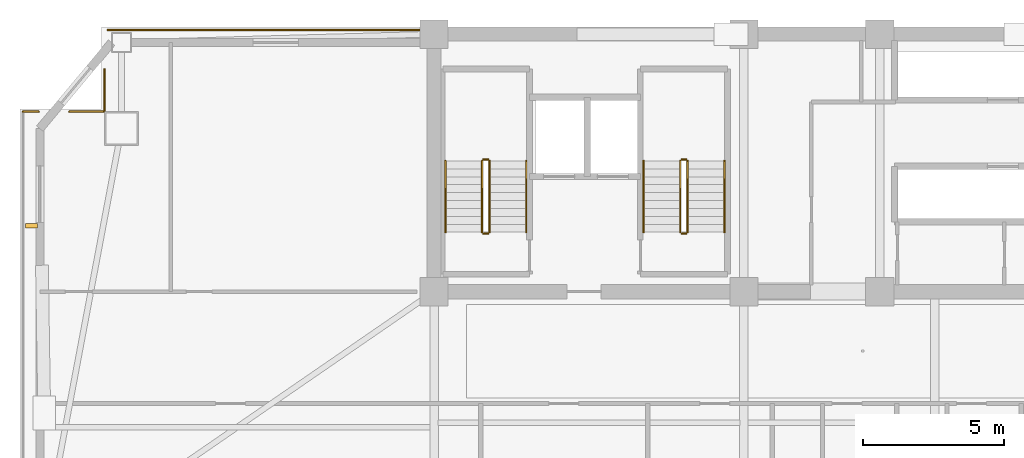
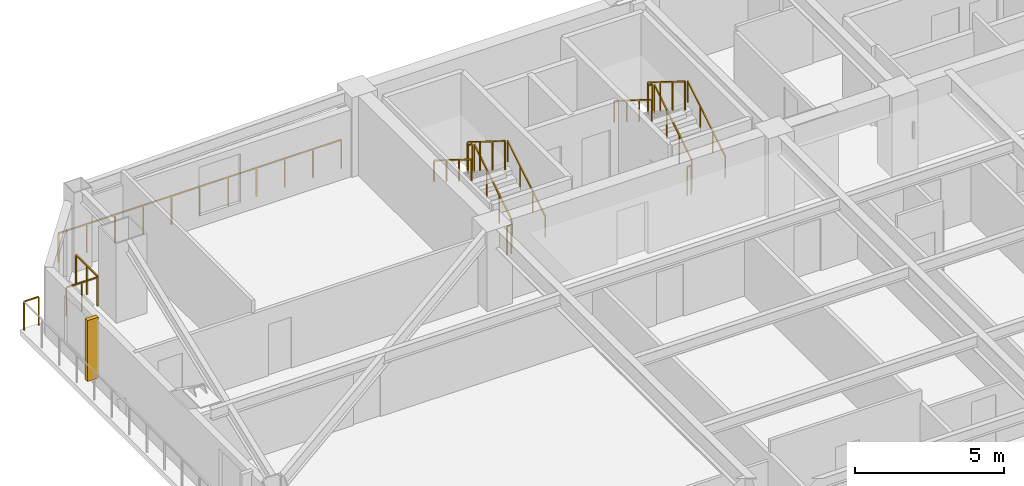
# One storey, part 14 of 15: 16 railings, 1 shading device.
"""IFC4 building model written with IfcOpenShell, lengths in metres."""

from ifc_helpers import new_model, si_unit, direction, frame, origin, origin_2d, place, context, subcontext, project, spatial, rectangle, extrude, source, transform, mapped, material, type_object, element, save


model = new_model("IFC4")

# Units and contexts
model_context = context("Model", 3, precision=1e-05, world=origin(), true_north=direction((0.0, 1.0)))
body_context = subcontext(model_context, "Body", "Model", "MODEL_VIEW")
ifc_project = project(units=[si_unit("LENGTHUNIT", "METRE"), si_unit("AREAUNIT", "SQUARE_METRE"), si_unit("VOLUMEUNIT", "CUBIC_METRE"), si_unit("PLANEANGLEUNIT", "RADIAN"), si_unit("MASSUNIT", "GRAM", prefix="KILO")], contexts=[model_context])

# Site, building, storey
site_placement = place(None, origin())
site = spatial("IfcSite", under=ifc_project, at=site_placement, CompositionType="ELEMENT")
building_placement = place(site_placement, origin())
building = spatial("IfcBuilding", under=site, at=building_placement, Name="Giltprow Tower", CompositionType="ELEMENT")
storey_placement = place(building_placement, frame((0.0, 0.0, 173.699951171875)))
storey = spatial("IfcBuildingStorey", under=building, at=storey_placement, Name="L43", CompositionType="ELEMENT", Elevation=173.699951171875)

# Railings
ifc_material = material(Name="Anodized bronze", Category="metal")
railing_type_1 = type_object("IfcRailingType", Name="RAIL-BALC-GUARD-1200", PredefinedType="BALUSTRADE", material=ifc_material)
railing_1_placement = place(storey_placement, frame((5.319091796875, 43.81298828125, 0.0)))
element("IfcRailing", 1, at=railing_1_placement, inside=storey, type_object=railing_type_1, Name="L43 Corner Apron Edge Balustrade 6", PredefinedType="BALUSTRADE", context=body_context, shape_type="SweptSolid", body=[
    extrude(rectangle(XDim=0.048095703125, YDim=0.048095703125, at=origin_2d()), frame((0.0, 0.0, 1.17578125), z_axis=(1.0, 0.0, 0.0), x_axis=(0.0, 1.0, 0.0)), (0.0, 0.0, 1.0), 0.56689453125),
    extrude(rectangle(XDim=0.0419921875, YDim=0.0419921875, at=origin_2d()), origin(), (0.0, 0.0, 1.0), 1.15185546875),
    extrude(rectangle(XDim=0.0419921875, YDim=0.0419921875, at=origin_2d()), frame((0.56689453125, 0.0, 0.0)), (0.0, 0.0, 1.0), 1.15185546875),
])
railing_2_placement = place(storey_placement, frame((6.9541015625, 43.81298828125, 0.0)))
element("IfcRailing", 2, at=railing_2_placement, inside=storey, type_object=railing_type_1, Name="L43 Corner Apron Edge Balustrade 7", PredefinedType="BALUSTRADE", context=body_context, shape_type="SweptSolid", body=[
    extrude(rectangle(XDim=0.048095703125, YDim=0.048095703125, at=origin_2d()), frame((0.0, 0.0, 1.17578125), z_axis=(1.0, 0.0, 0.0), x_axis=(0.0, 1.0, 0.0)), (0.0, 0.0, 1.0), 1.216796875),
    extrude(rectangle(XDim=0.0419921875, YDim=0.0419921875, at=origin_2d()), origin(), (0.0, 0.0, 1.0), 1.15185546875),
    extrude(rectangle(XDim=0.0419921875, YDim=0.0419921875, at=origin_2d()), frame((0.6083984375, 0.0, 0.0)), (0.0, 0.0, 1.0), 1.15185546875),
    extrude(rectangle(XDim=0.0419921875, YDim=0.0419921875, at=origin_2d()), frame((1.216796875, 0.0, 0.0)), (0.0, 0.0, 1.0), 1.15185546875),
])
railing_3_placement = place(storey_placement, frame((8.2060546875, 43.847900390625, 0.0)))
element("IfcRailing", 3, at=railing_3_placement, inside=storey, type_object=railing_type_1, Name="L43 Corner Apron Edge Balustrade 8", PredefinedType="BALUSTRADE", context=body_context, shape_type="SweptSolid", body=[
    extrude(rectangle(XDim=0.048095703125, YDim=0.048095703125, at=origin_2d()), frame((0.0, 0.0, 1.17578125), z_axis=(0.0, 1.0, 0.0), x_axis=(-1.0, 0.0, 0.0)), (0.0, 0.0, 1.0), 1.463134765625),
    extrude(rectangle(XDim=0.0419921875, YDim=0.0419921875, at=origin_2d()), origin(), (0.0, 0.0, 1.0), 1.15185546875),
    extrude(rectangle(XDim=0.0419921875, YDim=0.0419921875, at=origin_2d()), frame((0.0, 0.7314453125, 0.0)), (0.0, 0.0, 1.0), 1.15185546875),
    extrude(rectangle(XDim=0.0419921875, YDim=0.0419921875, at=origin_2d()), frame((0.0, 1.463134765625, 0.0)), (0.0, 0.0, 1.0), 1.15185546875),
])
railing_4_placement = place(storey_placement, frame((8.322998046875, 46.699951171875, 0.0)))
element("IfcRailing", 4, at=railing_4_placement, inside=storey, type_object=railing_type_1, Name="L43 Corner Apron Edge Balustrade 9", PredefinedType="BALUSTRADE", context=body_context, shape_type="SweptSolid", body=[
    extrude(rectangle(XDim=0.048095703125, YDim=0.048095703125, at=origin_2d()), frame((0.0, 0.0, 1.17578125), z_axis=(1.0, 0.0, 0.0), x_axis=(0.0, 1.0, 0.0)), (0.0, 0.0, 1.0), 10.991943359375),
    extrude(rectangle(XDim=0.0419921875, YDim=0.0419921875, at=origin_2d()), origin(), (0.0, 0.0, 1.0), 1.15185546875),
    extrude(rectangle(XDim=0.0419921875, YDim=0.0419921875, at=origin_2d()), frame((1.09912109375, 0.0, 0.0)), (0.0, 0.0, 1.0), 1.15185546875),
    extrude(rectangle(XDim=0.0419921875, YDim=0.0419921875, at=origin_2d()), frame((2.198486328125, 0.0, 0.0)), (0.0, 0.0, 1.0), 1.15185546875),
    extrude(rectangle(XDim=0.0419921875, YDim=0.0419921875, at=origin_2d()), frame((3.297607421875, 0.0, 0.0)), (0.0, 0.0, 1.0), 1.15185546875),
    extrude(rectangle(XDim=0.0419921875, YDim=0.0419921875, at=origin_2d()), frame((4.396728515625, 0.0, 0.0)), (0.0, 0.0, 1.0), 1.15185546875),
    extrude(rectangle(XDim=0.0419921875, YDim=0.0419921875, at=origin_2d()), frame((5.49609375, 0.0, 0.0)), (0.0, 0.0, 1.0), 1.15185546875),
    extrude(rectangle(XDim=0.0419921875, YDim=0.0419921875, at=origin_2d()), frame((6.59521484375, 0.0, 0.0)), (0.0, 0.0, 1.0), 1.15185546875),
    extrude(rectangle(XDim=0.0419921875, YDim=0.0419921875, at=origin_2d()), frame((7.6943359375, 0.0, 0.0)), (0.0, 0.0, 1.0), 1.15185546875),
    extrude(rectangle(XDim=0.0419921875, YDim=0.0419921875, at=origin_2d()), frame((8.79345703125, 0.0, 0.0)), (0.0, 0.0, 1.0), 1.15185546875),
    extrude(rectangle(XDim=0.0419921875, YDim=0.0419921875, at=origin_2d()), frame((9.892822265625, 0.0, 0.0)), (0.0, 0.0, 1.0), 1.15185546875),
    extrude(rectangle(XDim=0.0419921875, YDim=0.0419921875, at=origin_2d()), frame((10.991943359375, 0.0, 0.0)), (0.0, 0.0, 1.0), 1.15185546875),
])
railing_type_2 = type_object("IfcRailingType", Name="RAIL-STAIR-GUARD-1200", PredefinedType="GUARDRAIL", material=ifc_material)
railing_5_placement = place(storey_placement, frame((21.81005859375, 39.550048828125, 0.175048828125)))
element("IfcRailing", 5, at=railing_5_placement, inside=storey, type_object=railing_type_2, Name="L43 ST-1 stair guard 1", PredefinedType="GUARDRAIL", context=body_context, shape_type="SweptSolid", body=[
    extrude(rectangle(XDim=0.048095703125, YDim=0.048095703125, at=origin_2d()), frame((0.0, 0.0, 1.17578125), z_axis=(0.0, 0.848007534815, 0.529984170421), x_axis=(-1.0, 0.0, 0.0)), (0.0, 0.0, 1.0), 2.9716796875),
    extrude(rectangle(XDim=0.0419921875, YDim=0.0419921875, at=origin_2d()), origin(), (0.0, 0.0, 1.0), 1.15185546875),
    extrude(rectangle(XDim=0.0419921875, YDim=0.0419921875, at=origin_2d()), frame((0.0, 0.840087890625, 0.52490234375)), (0.0, 0.0, 1.0), 1.15185546875),
    extrude(rectangle(XDim=0.0419921875, YDim=0.0419921875, at=origin_2d()), frame((0.0, 1.679931640625, 1.050048828125)), (0.0, 0.0, 1.0), 1.15185546875),
    extrude(rectangle(XDim=0.0419921875, YDim=0.0419921875, at=origin_2d()), frame((0.0, 2.52001953125, 1.574951171875)), (0.0, 0.0, 1.0), 1.15185546875),
])
railing_6_placement = place(storey_placement, frame((21.760009765625, 42.1201171875, 1.75)))
element("IfcRailing", 6, at=railing_6_placement, inside=storey, type_object=railing_type_2, Name="L43 ST-1 stair guard 2", PredefinedType="GUARDRAIL", context=body_context, shape_type="SweptSolid", body=[
    extrude(rectangle(XDim=0.048095703125, YDim=0.048095703125, at=origin_2d()), frame((0.0, 0.0, 1.17578125), z_axis=(-1.0, 0.0, 0.0), x_axis=(0.0, -1.0, 0.0)), (0.0, 0.0, 1.0), 0.159912109375),
    extrude(rectangle(XDim=0.0419921875, YDim=0.0419921875, at=origin_2d()), origin(), (0.0, 0.0, 1.0), 1.15185546875),
    extrude(rectangle(XDim=0.0419921875, YDim=0.0419921875, at=origin_2d()), frame((-0.159912109375, 0.0, 0.0)), (0.0, 0.0, 1.0), 1.15185546875),
])
railing_7_placement = place(storey_placement, frame((21.550048828125, 42.070068359375, 1.925048828125)))
element("IfcRailing", 7, at=railing_7_placement, inside=storey, type_object=railing_type_2, Name="L43 ST-1 stair guard 3", PredefinedType="GUARDRAIL", context=body_context, shape_type="SweptSolid", body=[
    extrude(rectangle(XDim=0.048095703125, YDim=0.048095703125, at=origin_2d()), frame((0.0, 0.0, 1.17578125), z_axis=(0.0, -0.848007534815, 0.529984170421), x_axis=(1.0, 0.0, 0.0)), (0.0, 0.0, 1.0), 2.9716796875),
    extrude(rectangle(XDim=0.0419921875, YDim=0.0419921875, at=origin_2d()), origin(), (0.0, 0.0, 1.0), 1.15185546875),
    extrude(rectangle(XDim=0.0419921875, YDim=0.0419921875, at=origin_2d()), frame((0.0, -0.840087890625, 0.52490234375)), (0.0, 0.0, 1.0), 1.15185546875),
    extrude(rectangle(XDim=0.0419921875, YDim=0.0419921875, at=origin_2d()), frame((0.0, -1.679931640625, 1.050048828125)), (0.0, 0.0, 1.0), 1.15185546875),
    extrude(rectangle(XDim=0.0419921875, YDim=0.0419921875, at=origin_2d()), frame((0.0, -2.52001953125, 1.574951171875)), (0.0, 0.0, 1.0), 1.15185546875),
])
railing_8_placement = place(storey_placement, frame((21.760009765625, 39.5, 0.0)))
element("IfcRailing", 8, at=railing_8_placement, inside=storey, type_object=railing_type_2, Name="L43 ST-1 stair guard 4", PredefinedType="GUARDRAIL", context=body_context, shape_type="SweptSolid", body=[
    extrude(rectangle(XDim=0.048095703125, YDim=0.048095703125, at=origin_2d()), frame((0.0, 0.0, 1.17578125), z_axis=(-1.0, 0.0, 0.0), x_axis=(0.0, -1.0, 0.0)), (0.0, 0.0, 1.0), 0.159912109375),
    extrude(rectangle(XDim=0.0419921875, YDim=0.0419921875, at=origin_2d()), origin(), (0.0, 0.0, 1.0), 1.15185546875),
    extrude(rectangle(XDim=0.0419921875, YDim=0.0419921875, at=origin_2d()), frame((-0.159912109375, 0.0, 0.0)), (0.0, 0.0, 1.0), 1.15185546875),
])
railing_9_placement = place(storey_placement, frame((28.81005859375, 39.550048828125, 0.175048828125)))
element("IfcRailing", 9, at=railing_9_placement, inside=storey, type_object=railing_type_2, Name="L43 ST-2 stair guard 1", PredefinedType="GUARDRAIL", context=body_context, shape_type="SweptSolid", body=[
    extrude(rectangle(XDim=0.048095703125, YDim=0.048095703125, at=origin_2d()), frame((0.0, 0.0, 1.17578125), z_axis=(0.0, 0.848007534815, 0.529984170421), x_axis=(-1.0, 0.0, 0.0)), (0.0, 0.0, 1.0), 2.9716796875),
    extrude(rectangle(XDim=0.0419921875, YDim=0.0419921875, at=origin_2d()), origin(), (0.0, 0.0, 1.0), 1.15185546875),
    extrude(rectangle(XDim=0.0419921875, YDim=0.0419921875, at=origin_2d()), frame((0.0, 0.840087890625, 0.52490234375)), (0.0, 0.0, 1.0), 1.15185546875),
    extrude(rectangle(XDim=0.0419921875, YDim=0.0419921875, at=origin_2d()), frame((0.0, 1.679931640625, 1.050048828125)), (0.0, 0.0, 1.0), 1.15185546875),
    extrude(rectangle(XDim=0.0419921875, YDim=0.0419921875, at=origin_2d()), frame((0.0, 2.52001953125, 1.574951171875)), (0.0, 0.0, 1.0), 1.15185546875),
])
railing_10_placement = place(storey_placement, frame((28.760009765625, 42.1201171875, 1.75)))
element("IfcRailing", 10, at=railing_10_placement, inside=storey, type_object=railing_type_2, Name="L43 ST-2 stair guard 2", PredefinedType="GUARDRAIL", context=body_context, shape_type="SweptSolid", body=[
    extrude(rectangle(XDim=0.048095703125, YDim=0.048095703125, at=origin_2d()), frame((0.0, 0.0, 1.17578125), z_axis=(-1.0, 0.0, 0.0), x_axis=(0.0, -1.0, 0.0)), (0.0, 0.0, 1.0), 0.159912109375),
    extrude(rectangle(XDim=0.0419921875, YDim=0.0419921875, at=origin_2d()), origin(), (0.0, 0.0, 1.0), 1.15185546875),
    extrude(rectangle(XDim=0.0419921875, YDim=0.0419921875, at=origin_2d()), frame((-0.159912109375, 0.0, 0.0)), (0.0, 0.0, 1.0), 1.15185546875),
])
railing_11_placement = place(storey_placement, frame((28.550048828125, 42.070068359375, 1.925048828125)))
element("IfcRailing", 11, at=railing_11_placement, inside=storey, type_object=railing_type_2, Name="L43 ST-2 stair guard 3", PredefinedType="GUARDRAIL", context=body_context, shape_type="SweptSolid", body=[
    extrude(rectangle(XDim=0.048095703125, YDim=0.048095703125, at=origin_2d()), frame((0.0, 0.0, 1.17578125), z_axis=(0.0, -0.848007534815, 0.529984170421), x_axis=(1.0, 0.0, 0.0)), (0.0, 0.0, 1.0), 2.9716796875),
    extrude(rectangle(XDim=0.0419921875, YDim=0.0419921875, at=origin_2d()), origin(), (0.0, 0.0, 1.0), 1.15185546875),
    extrude(rectangle(XDim=0.0419921875, YDim=0.0419921875, at=origin_2d()), frame((0.0, -0.840087890625, 0.52490234375)), (0.0, 0.0, 1.0), 1.15185546875),
    extrude(rectangle(XDim=0.0419921875, YDim=0.0419921875, at=origin_2d()), frame((0.0, -1.679931640625, 1.050048828125)), (0.0, 0.0, 1.0), 1.15185546875),
    extrude(rectangle(XDim=0.0419921875, YDim=0.0419921875, at=origin_2d()), frame((0.0, -2.52001953125, 1.574951171875)), (0.0, 0.0, 1.0), 1.15185546875),
])
railing_12_placement = place(storey_placement, frame((28.760009765625, 39.5, 0.0)))
element("IfcRailing", 12, at=railing_12_placement, inside=storey, type_object=railing_type_2, Name="L43 ST-2 stair guard 4", PredefinedType="GUARDRAIL", context=body_context, shape_type="SweptSolid", body=[
    extrude(rectangle(XDim=0.048095703125, YDim=0.048095703125, at=origin_2d()), frame((0.0, 0.0, 1.17578125), z_axis=(-1.0, 0.0, 0.0), x_axis=(0.0, -1.0, 0.0)), (0.0, 0.0, 1.0), 0.159912109375),
    extrude(rectangle(XDim=0.0419921875, YDim=0.0419921875, at=origin_2d()), origin(), (0.0, 0.0, 1.0), 1.15185546875),
    extrude(rectangle(XDim=0.0419921875, YDim=0.0419921875, at=origin_2d()), frame((-0.159912109375, 0.0, 0.0)), (0.0, 0.0, 1.0), 1.15185546875),
])
railing_type_3 = type_object("IfcRailingType", Name="RAIL-STAIR-HAND-900", PredefinedType="HANDRAIL", material=ifc_material)
railing_13_placement = place(storey_placement, frame((23.110107421875, 39.550048828125, 0.175048828125)))
element("IfcRailing", 13, at=railing_13_placement, inside=storey, type_object=railing_type_3, Name="L43 ST-1 stair handrail 1", PredefinedType="HANDRAIL", context=body_context, shape_type="SweptSolid", body=[
    extrude(rectangle(XDim=0.048095703125, YDim=0.048095703125, at=origin_2d()), frame((0.0, 0.0, 0.8759765625), z_axis=(0.0, 0.848007534815, 0.529984170421), x_axis=(-1.0, 0.0, 0.0)), (0.0, 0.0, 1.0), 2.9716796875),
    extrude(rectangle(XDim=0.0419921875, YDim=0.0419921875, at=origin_2d()), origin(), (0.0, 0.0, 1.0), 0.851806640625),
    extrude(rectangle(XDim=0.0419921875, YDim=0.0419921875, at=origin_2d()), frame((0.0, 0.840087890625, 0.52490234375)), (0.0, 0.0, 1.0), 0.851806640625),
    extrude(rectangle(XDim=0.0419921875, YDim=0.0419921875, at=origin_2d()), frame((0.0, 1.679931640625, 1.050048828125)), (0.0, 0.0, 1.0), 0.851806640625),
    extrude(rectangle(XDim=0.0419921875, YDim=0.0419921875, at=origin_2d()), frame((0.0, 2.52001953125, 1.574951171875)), (0.0, 0.0, 1.0), 0.851806640625),
])
railing_14_placement = place(storey_placement, frame((20.25, 42.070068359375, 1.925048828125)))
element("IfcRailing", 14, at=railing_14_placement, inside=storey, type_object=railing_type_3, Name="L43 ST-1 stair handrail 2", PredefinedType="HANDRAIL", context=body_context, shape_type="SweptSolid", body=[
    extrude(rectangle(XDim=0.048095703125, YDim=0.048095703125, at=origin_2d()), frame((0.0, 0.0, 0.8759765625), z_axis=(0.0, -0.848007534815, 0.529984170421), x_axis=(1.0, 0.0, 0.0)), (0.0, 0.0, 1.0), 2.9716796875),
    extrude(rectangle(XDim=0.0419921875, YDim=0.0419921875, at=origin_2d()), origin(), (0.0, 0.0, 1.0), 0.851806640625),
    extrude(rectangle(XDim=0.0419921875, YDim=0.0419921875, at=origin_2d()), frame((0.0, -0.840087890625, 0.52490234375)), (0.0, 0.0, 1.0), 0.851806640625),
    extrude(rectangle(XDim=0.0419921875, YDim=0.0419921875, at=origin_2d()), frame((0.0, -1.679931640625, 1.050048828125)), (0.0, 0.0, 1.0), 0.851806640625),
    extrude(rectangle(XDim=0.0419921875, YDim=0.0419921875, at=origin_2d()), frame((0.0, -2.52001953125, 1.574951171875)), (0.0, 0.0, 1.0), 0.851806640625),
])
railing_15_placement = place(storey_placement, frame((30.110107421875, 39.550048828125, 0.175048828125)))
element("IfcRailing", 15, at=railing_15_placement, inside=storey, type_object=railing_type_3, Name="L43 ST-2 stair handrail 1", PredefinedType="HANDRAIL", context=body_context, shape_type="SweptSolid", body=[
    extrude(rectangle(XDim=0.048095703125, YDim=0.048095703125, at=origin_2d()), frame((0.0, 0.0, 0.8759765625), z_axis=(0.0, 0.848007534815, 0.529984170421), x_axis=(-1.0, 0.0, 0.0)), (0.0, 0.0, 1.0), 2.9716796875),
    extrude(rectangle(XDim=0.0419921875, YDim=0.0419921875, at=origin_2d()), origin(), (0.0, 0.0, 1.0), 0.851806640625),
    extrude(rectangle(XDim=0.0419921875, YDim=0.0419921875, at=origin_2d()), frame((0.0, 0.840087890625, 0.52490234375)), (0.0, 0.0, 1.0), 0.851806640625),
    extrude(rectangle(XDim=0.0419921875, YDim=0.0419921875, at=origin_2d()), frame((0.0, 1.679931640625, 1.050048828125)), (0.0, 0.0, 1.0), 0.851806640625),
    extrude(rectangle(XDim=0.0419921875, YDim=0.0419921875, at=origin_2d()), frame((0.0, 2.52001953125, 1.574951171875)), (0.0, 0.0, 1.0), 0.851806640625),
])
railing_16_placement = place(storey_placement, frame((27.25, 42.070068359375, 1.925048828125)))
element("IfcRailing", 16, at=railing_16_placement, inside=storey, type_object=railing_type_3, Name="L43 ST-2 stair handrail 2", PredefinedType="HANDRAIL", context=body_context, shape_type="SweptSolid", body=[
    extrude(rectangle(XDim=0.048095703125, YDim=0.048095703125, at=origin_2d()), frame((0.0, 0.0, 0.8759765625), z_axis=(0.0, -0.848007534815, 0.529984170421), x_axis=(1.0, 0.0, 0.0)), (0.0, 0.0, 1.0), 2.9716796875),
    extrude(rectangle(XDim=0.0419921875, YDim=0.0419921875, at=origin_2d()), origin(), (0.0, 0.0, 1.0), 0.851806640625),
    extrude(rectangle(XDim=0.0419921875, YDim=0.0419921875, at=origin_2d()), frame((0.0, -0.840087890625, 0.52490234375)), (0.0, 0.0, 1.0), 0.851806640625),
    extrude(rectangle(XDim=0.0419921875, YDim=0.0419921875, at=origin_2d()), frame((0.0, -1.679931640625, 1.050048828125)), (0.0, 0.0, 1.0), 0.851806640625),
    extrude(rectangle(XDim=0.0419921875, YDim=0.0419921875, at=origin_2d()), frame((0.0, -2.52001953125, 1.574951171875)), (0.0, 0.0, 1.0), 0.851806640625),
])

# Shading device
shading_device_type = type_object("IfcShadingDeviceType", Name="SHD-FIN-420", PredefinedType="USERDEFINED", material=ifc_material)
shared_shape = source(origin(), body_context, "Body", "SweptSolid", [
    extrude(rectangle(XDim=0.419921875, YDim=0.159912109375, at=origin_2d()), origin(), (0.0, 0.0, 1.0), 2.5),
])
shading_device_placement = place(storey_placement, frame((5.618896484375, 39.779052734375, 0.35009765625), z_axis=(0.0, 0.0, 1.0), x_axis=(1.0, 0.0, 0.0)))
element("IfcShadingDevice", 17, at=shading_device_placement, inside=storey, type_object=shading_device_type, Name="L43 W Bronze Vertical Fin 2-2", ObjectType="FIN", PredefinedType="USERDEFINED", context=body_context, shape_type="MappedRepresentation", body=[
    mapped(shared_shape, transform((0.0, 0.0, 0.0), x_axis=(1.0, 0.0, 0.0), y_axis=(0.0, 1.0, 0.0), z_axis=(0.0, 0.0, 1.0), scale=1.0)),
])

save(model, "model.ifc")
